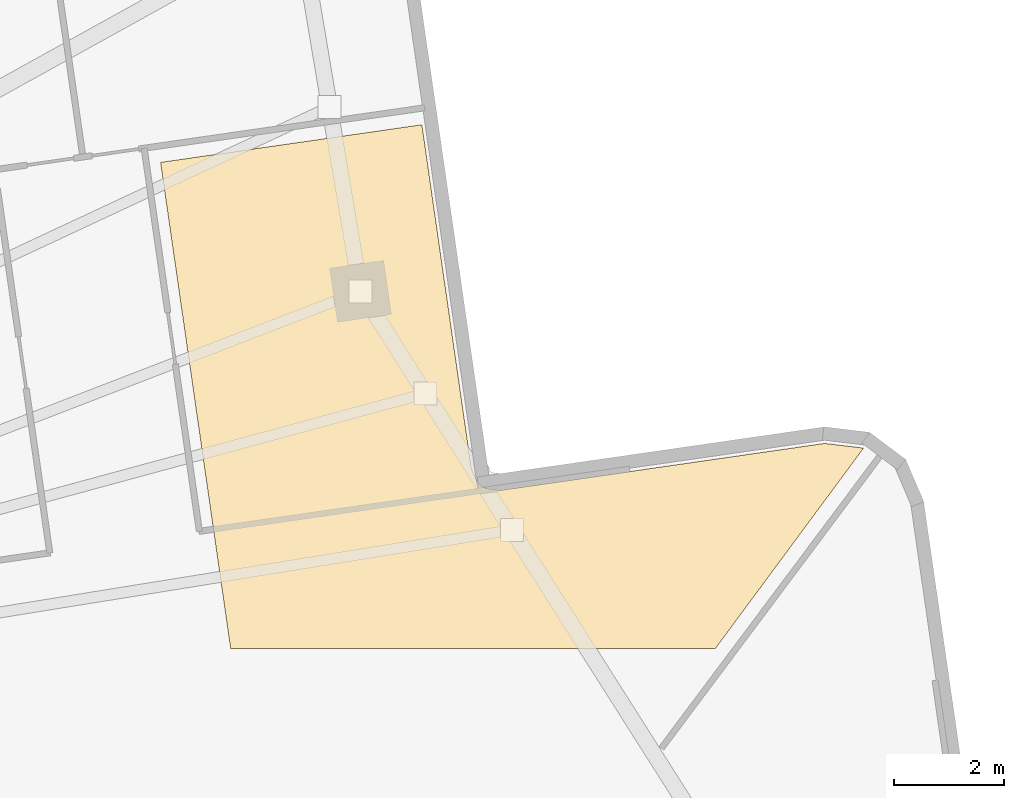
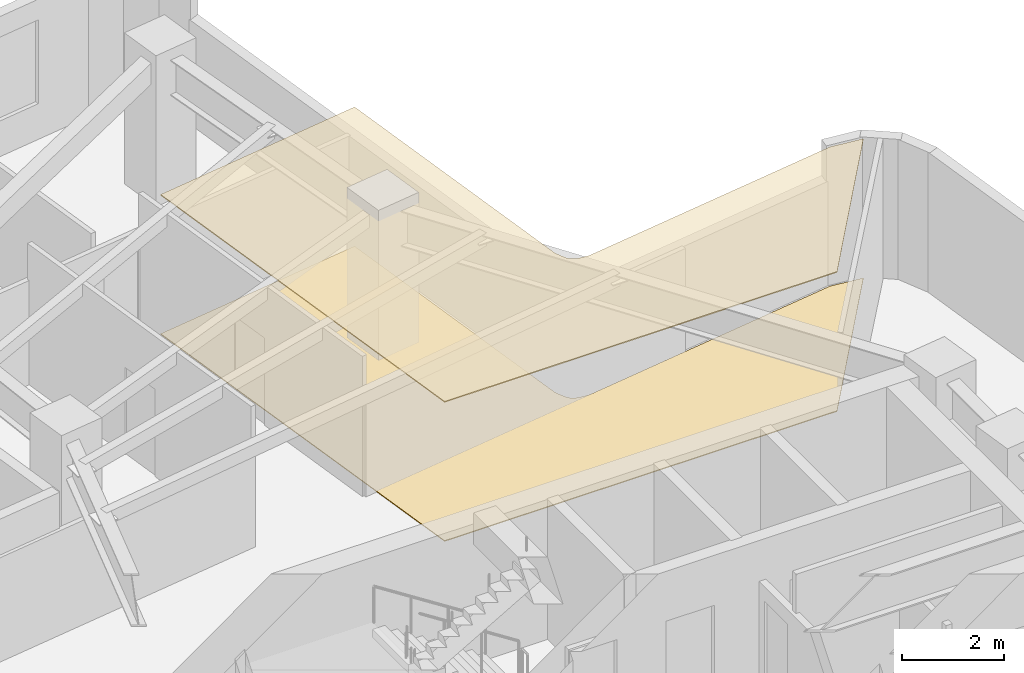
# One storey, part 10 of 10: 2 coverings.
"""IFC4 building model written with IfcOpenShell, lengths in metres."""

from ifc_helpers import new_model, si_unit, direction, frame, origin, place, context, subcontext, project, spatial, polyline, outline, extrude, material, layer, layer_set, type_object, element, save


model = new_model("IFC4")

# Units and contexts
model_context = context("Model", 3, precision=1e-05, world=origin(), true_north=direction((0.0, 1.0)))
body_context = subcontext(model_context, "Body", "Model", "MODEL_VIEW")
ifc_project = project(units=[si_unit("LENGTHUNIT", "METRE"), si_unit("AREAUNIT", "SQUARE_METRE"), si_unit("VOLUMEUNIT", "CUBIC_METRE"), si_unit("PLANEANGLEUNIT", "RADIAN"), si_unit("MASSUNIT", "GRAM", prefix="KILO")], contexts=[model_context])

# Site, building, storey
site_placement = place(None, origin())
site = spatial("IfcSite", under=ifc_project, at=site_placement, CompositionType="ELEMENT")
building_placement = place(site_placement, origin())
building = spatial("IfcBuilding", under=site, at=building_placement, Name="Solmarez Civic Tower", CompositionType="ELEMENT")
storey_placement = place(building_placement, frame((0.0, 0.0, 85.679931640625)))
storey = spatial("IfcBuildingStorey", under=building, at=storey_placement, Name="L22", CompositionType="ELEMENT", Elevation=85.679931640625)

# Coverings
ifc_material_1 = material(Name="Perforated Mineral-Fibre Acoustic Ceiling")
ifc_layer_1 = layer(ifc_material_1, 0.02490234375)
ifc_layer_set_1 = layer_set([ifc_layer_1], Name="Perforated Mineral-Fibre Acoustic Ceiling")
covering_type_1 = type_object("IfcCoveringType", Name="COV-CEIL-ACOUSTIC", PredefinedType="CEILING", material=ifc_layer_set_1)
covering_1_placement = place(storey_placement, frame((0.0, 0.0, 3.315185546875)))
element("IfcCovering", 1, at=covering_1_placement, inside=storey, type_object=covering_type_1, Name="L22 Suspended Acoustic Ceiling 1", PredefinedType="CEILING", context=body_context, shape_type="SweptSolid", body=[
    extrude(outline(polyline([(-0.10107421875, 12.199951171875), (8.75, 12.199951171875), (11.455078125, 15.85791015625), (11.449951171875, 15.862060546875), (10.74609375, 15.946044921875), (4.866943359375, 15.097900390625), (4.85302734375, 15.096923828125), (4.83203125, 15.094970703125), (4.81201171875, 15.094970703125), (4.787109375, 15.097900390625), (4.617919921875, 15.116943359375), (4.591064453125, 15.123046875), (4.5830078125, 15.125), (4.575927734375, 15.1259765625), (4.569091796875, 15.1279296875), (4.56201171875, 15.1298828125), (4.537109375, 15.138916015625), (4.512939453125, 15.15087890625), (4.506103515625, 15.155029296875), (4.492919921875, 15.1630859375), (4.47607421875, 15.173095703125), (4.4609375, 15.18505859375), (4.446044921875, 15.197998046875), (4.44091796875, 15.202880859375), (4.427978515625, 15.218017578125), (4.423095703125, 15.22412109375), (4.41796875, 15.22998046875), (4.404052734375, 15.2490234375), (4.39990234375, 15.2548828125), (4.389892578125, 15.27197265625), (4.381103515625, 15.2900390625), (4.3779296875, 15.297119140625), (4.31005859375, 15.455078125), (4.300048828125, 15.48193359375), (4.297119140625, 15.491943359375), (4.2919921875, 15.510986328125), (4.2880859375, 15.531005859375), (3.39111328125, 21.76611328125), (-1.381103515625, 21.0791015625), (-0.10107421875, 12.199951171875)])), origin(), (0.0, 0.0, 1.0), 0.02490234375),
])
ifc_material_2 = material(Name="Polished Tropical Stone Terrazzo Flooring", Category="masonry")
ifc_layer_2 = layer(ifc_material_2, 0.02001953125)
ifc_layer_set_2 = layer_set([ifc_layer_2], Name="Polished Tropical Stone Terrazzo Flooring")
covering_type_2 = type_object("IfcCoveringType", Name="COV-FLOOR-TERRAZZO", PredefinedType="FLOORING", material=ifc_layer_set_2)
covering_2_placement = place(storey_placement, origin())
element("IfcCovering", 2, at=covering_2_placement, inside=storey, type_object=covering_type_2, Name="L22 Terrazzo Floor Finish 1", PredefinedType="FLOORING", context=body_context, shape_type="SweptSolid", body=[
    extrude(outline(polyline([(-0.10107421875, 12.199951171875), (8.75, 12.199951171875), (11.455078125, 15.85791015625), (11.449951171875, 15.862060546875), (10.74609375, 15.946044921875), (4.866943359375, 15.097900390625), (4.85302734375, 15.096923828125), (4.83203125, 15.094970703125), (4.81201171875, 15.094970703125), (4.787109375, 15.097900390625), (4.617919921875, 15.116943359375), (4.591064453125, 15.123046875), (4.5830078125, 15.125), (4.575927734375, 15.1259765625), (4.569091796875, 15.1279296875), (4.56201171875, 15.1298828125), (4.537109375, 15.138916015625), (4.512939453125, 15.15087890625), (4.506103515625, 15.155029296875), (4.492919921875, 15.1630859375), (4.47607421875, 15.173095703125), (4.4609375, 15.18505859375), (4.446044921875, 15.197998046875), (4.44091796875, 15.202880859375), (4.427978515625, 15.218017578125), (4.423095703125, 15.22412109375), (4.41796875, 15.22998046875), (4.404052734375, 15.2490234375), (4.39990234375, 15.2548828125), (4.389892578125, 15.27197265625), (4.381103515625, 15.2900390625), (4.3779296875, 15.297119140625), (4.31005859375, 15.455078125), (4.300048828125, 15.48193359375), (4.297119140625, 15.491943359375), (4.2919921875, 15.510986328125), (4.2880859375, 15.531005859375), (3.39111328125, 21.76611328125), (-1.381103515625, 21.0791015625), (-0.10107421875, 12.199951171875)])), origin(), (0.0, 0.0, 1.0), 0.02001953125),
])

save(model, "model.ifc")
